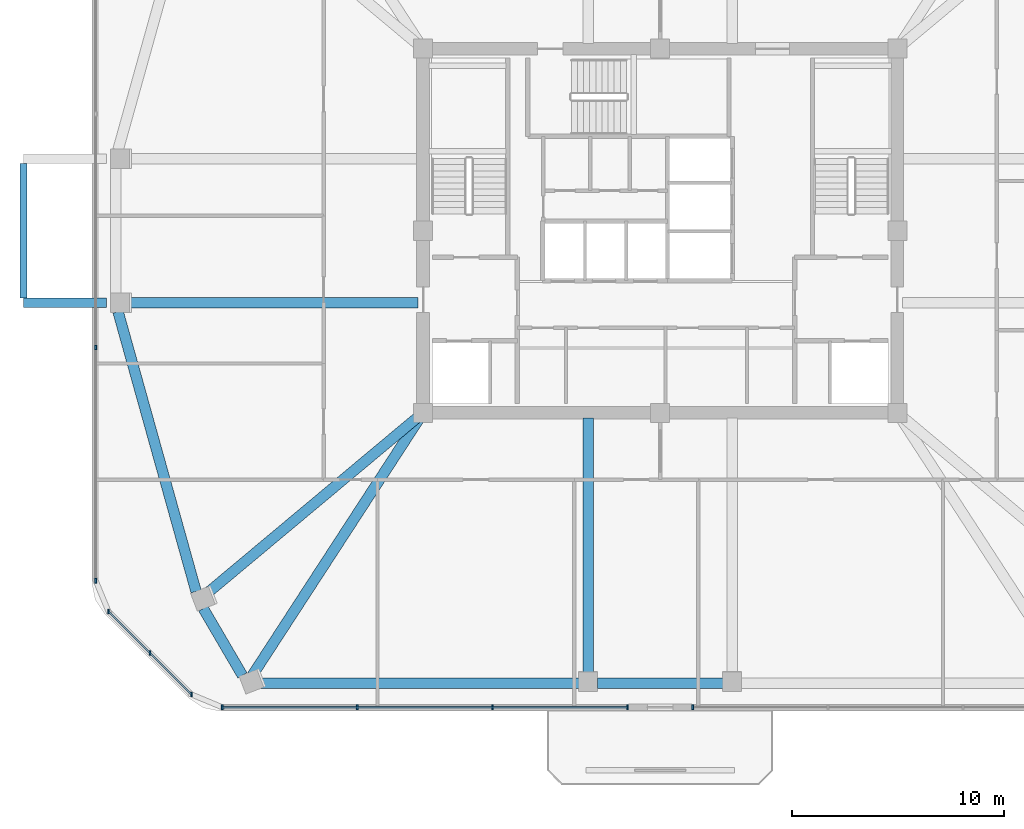
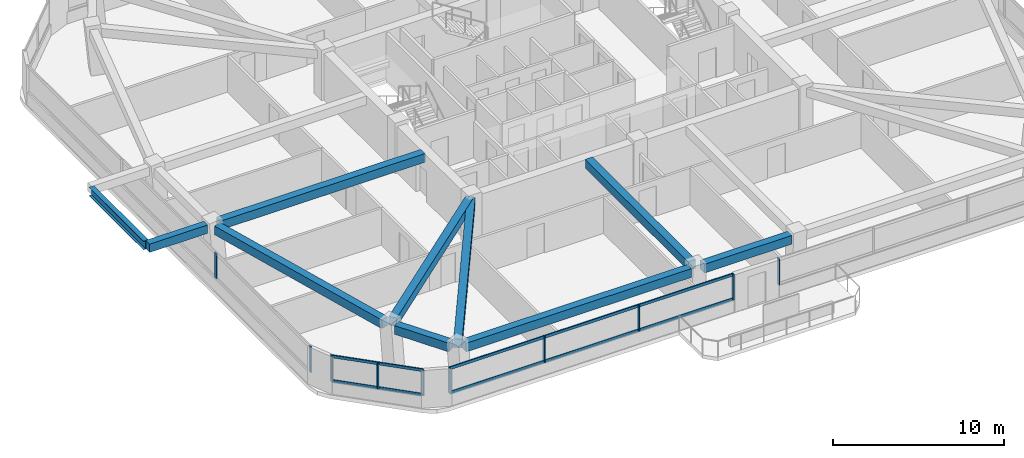
# One storey, part 2 of 13: 14 members, 10 beams, 4 elements without a shape of their own.
"""IFC4 building model written with IfcOpenShell, lengths in metres."""

from ifc_helpers import new_model, si_unit, derived_unit, direction, frame, origin, origin_2d, place, context, subcontext, project, spatial, rectangle, i_section, extrude, material, material_profile, profile_set, type_object, element, aggregate, save


model = new_model("IFC4")

# Units and contexts
model_context = context("Model", 3, precision=1e-05, world=origin(), true_north=direction((0.0, 1.0)))
body_context = subcontext(model_context, "Body", "Model", "MODEL_VIEW")
ifc_project = project(units=[si_unit("LENGTHUNIT", "METRE"), si_unit("AREAUNIT", "SQUARE_METRE"), si_unit("VOLUMEUNIT", "CUBIC_METRE"), si_unit("PLANEANGLEUNIT", "RADIAN"), si_unit("MASSUNIT", "GRAM", prefix="KILO"), derived_unit("THERMALTRANSMITTANCEUNIT", [(si_unit("POWERUNIT", "WATT"), 1), (si_unit("LENGTHUNIT", "METRE"), -2), (si_unit("THERMODYNAMICTEMPERATUREUNIT", "KELVIN"), -1)])], contexts=[model_context])

# Site, building, storey
site_placement = place(None, origin())
site = spatial("IfcSite", under=ifc_project, at=site_placement, CompositionType="ELEMENT")
building_placement = place(site_placement, origin())
building = spatial("IfcBuilding", under=site, at=building_placement, Name="Koralith Skygarden Medical Center", CompositionType="ELEMENT")
storey_placement = place(building_placement, frame((0.0, 0.0, 217.97998046875)))
storey = spatial("IfcBuildingStorey", under=building, at=storey_placement, Name="L56", CompositionType="ELEMENT", Elevation=217.97998046875)

# Curtain wall, members
ifc_material_1 = material(Name="Clear Laminated Glass", Category="glass")
curtain_wall_type = type_object("IfcCurtainWallType", Name="CW-5 Zone 4 Flare Biophilic Curtain Wall", PredefinedType="NOTDEFINED", material=ifc_material_1)
curtain_wall_1_placement = place(storey_placement, origin())
curtain_wall_1 = element("IfcCurtainWall", 1, at=curtain_wall_1_placement, inside=storey, type_object=curtain_wall_type, Name="Curtain Wall CW-L56-S-L", PredefinedType="NOTDEFINED")
ifc_material_2 = material(Name="Aluminium 6063-T6", Category="aluminium")
ifc_material_profile_1 = material_profile(ifc_material_2, rectangle(XDim=0.080078125, YDim=0.219970703125, at=origin_2d()), Name="MUL80X220")
ifc_profile_set_1 = profile_set([ifc_material_profile_1], Name="Aluminium 6063-T6")
member_type_1 = type_object("IfcMemberType", Name="CW-5 Extruded Mullion 80x220", PredefinedType="MULLION", material=ifc_profile_set_1)
member_1_placement = place(storey_placement, frame((16.31591796875, 3.39501953125, 0.85009765625), z_axis=(0.0, 0.0, 1.0), x_axis=(1.0, 0.0, 0.0)))
member_1 = element("IfcMember", 2, at=member_1_placement, type_object=member_type_1, Name="CW-L56-S-L Mullion 1", PredefinedType="MULLION", context=body_context, shape_type="SweptSolid", body=[
    extrude(rectangle(XDim=0.080078125, YDim=0.219970703125, at=origin_2d()), origin(), (0.0, 0.0, 1.0), 1.83984375),
])
member_2_placement = place(storey_placement, frame((22.697021484375, 3.39501953125, 0.85009765625), z_axis=(0.0, 0.0, 1.0), x_axis=(1.0, 0.0, 0.0)))
member_2 = element("IfcMember", 3, at=member_2_placement, type_object=member_type_1, Name="CW-L56-S-L Mullion 2", PredefinedType="MULLION", context=body_context, shape_type="SweptSolid", body=[
    extrude(rectangle(XDim=0.080078125, YDim=0.219970703125, at=origin_2d()), origin(), (0.0, 0.0, 1.0), 1.83984375),
])
member_3_placement = place(storey_placement, frame((29.0791015625, 3.39501953125, 0.85009765625), z_axis=(0.0, 0.0, 1.0), x_axis=(1.0, 0.0, 0.0)))
member_3 = element("IfcMember", 4, at=member_3_placement, type_object=member_type_1, Name="CW-L56-S-L Mullion 3", PredefinedType="MULLION", context=body_context, shape_type="SweptSolid", body=[
    extrude(rectangle(XDim=0.080078125, YDim=0.219970703125, at=origin_2d()), origin(), (0.0, 0.0, 1.0), 1.83984375),
])
member_4_placement = place(storey_placement, frame((35.4599609375, 3.39501953125, 0.85009765625), z_axis=(0.0, 0.0, 1.0), x_axis=(1.0, 0.0, 0.0)))
member_4 = element("IfcMember", 5, at=member_4_placement, type_object=member_type_1, Name="CW-L56-S-L Mullion 4", PredefinedType="MULLION", context=body_context, shape_type="SweptSolid", body=[
    extrude(rectangle(XDim=0.080078125, YDim=0.219970703125, at=origin_2d()), origin(), (0.0, 0.0, 1.0), 1.83984375),
])

# Curtain wall, member
curtain_wall_2_placement = place(storey_placement, origin())
curtain_wall_2 = element("IfcCurtainWall", 6, at=curtain_wall_2_placement, inside=storey, type_object=curtain_wall_type, Name="Curtain Wall CW-L56-S-R", PredefinedType="NOTDEFINED")
member_5_placement = place(storey_placement, frame((38.5400390625, 3.39501953125, 0.85009765625), z_axis=(0.0, 0.0, 1.0), x_axis=(1.0, 0.0, 0.0)))
member_5 = element("IfcMember", 7, at=member_5_placement, type_object=member_type_1, Name="CW-L56-S-R Mullion 1", PredefinedType="MULLION", context=body_context, shape_type="SweptSolid", body=[
    extrude(rectangle(XDim=0.080078125, YDim=0.219970703125, at=origin_2d()), origin(), (0.0, 0.0, 1.0), 1.83984375),
])
aggregate(curtain_wall_2, [member_5])

# Curtain wall, members
curtain_wall_3_placement = place(storey_placement, origin())
curtain_wall_3 = element("IfcCurtainWall", 8, at=curtain_wall_3_placement, inside=storey, type_object=curtain_wall_type, Name="Curtain Wall CW-L56-W", PredefinedType="NOTDEFINED")
member_6_placement = place(storey_placement, frame((10.340087890625, 20.389892578125, 0.85009765625), z_axis=(0.0, 0.0, 1.0), x_axis=(1.0, 0.0, 0.0)))
member_6 = element("IfcMember", 9, at=member_6_placement, type_object=member_type_1, Name="CW-L56-W Mullion 3", PredefinedType="MULLION", context=body_context, shape_type="SweptSolid", body=[
    extrude(rectangle(XDim=0.080078125, YDim=0.219970703125, at=origin_2d()), origin(), (0.0, 0.0, 1.0), 1.83984375),
])
member_7_placement = place(storey_placement, frame((10.340087890625, 9.37109375, 0.85009765625), z_axis=(0.0, 0.0, 1.0), x_axis=(1.0, 0.0, 0.0)))
member_7 = element("IfcMember", 10, at=member_7_placement, type_object=member_type_1, Name="CW-L56-W Mullion 4", PredefinedType="MULLION", context=body_context, shape_type="SweptSolid", body=[
    extrude(rectangle(XDim=0.080078125, YDim=0.219970703125, at=origin_2d()), origin(), (0.0, 0.0, 1.0), 1.83984375),
])
aggregate(curtain_wall_3, [member_6, member_7])

curtain_wall_4_placement = place(storey_placement, origin())
curtain_wall_4 = element("IfcCurtainWall", 11, at=curtain_wall_4_placement, inside=storey, type_object=curtain_wall_type, Name="Curtain Wall CW-L56-SW", PredefinedType="NOTDEFINED")
member_8_placement = place(storey_placement, frame((10.94189453125, 7.919921875, 0.85009765625), z_axis=(0.0, 0.0, 1.0), x_axis=(1.0, 0.0, 0.0)))
member_8 = element("IfcMember", 12, at=member_8_placement, type_object=member_type_1, Name="CW-L56-SW Mullion 1", PredefinedType="MULLION", context=body_context, shape_type="SweptSolid", body=[
    extrude(rectangle(XDim=0.080078125, YDim=0.219970703125, at=origin_2d()), origin(), (0.0, 0.0, 1.0), 1.83984375),
])
member_9_placement = place(storey_placement, frame((12.904052734375, 5.9580078125, 0.85009765625), z_axis=(0.0, 0.0, 1.0), x_axis=(1.0, 0.0, 0.0)))
member_9 = element("IfcMember", 13, at=member_9_placement, type_object=member_type_1, Name="CW-L56-SW Mullion 2", PredefinedType="MULLION", context=body_context, shape_type="SweptSolid", body=[
    extrude(rectangle(XDim=0.080078125, YDim=0.219970703125, at=origin_2d()), origin(), (0.0, 0.0, 1.0), 1.83984375),
])
member_10_placement = place(storey_placement, frame((14.864990234375, 3.9970703125, 0.85009765625), z_axis=(0.0, 0.0, 1.0), x_axis=(1.0, 0.0, 0.0)))
member_10 = element("IfcMember", 14, at=member_10_placement, type_object=member_type_1, Name="CW-L56-SW Mullion 3", PredefinedType="MULLION", context=body_context, shape_type="SweptSolid", body=[
    extrude(rectangle(XDim=0.080078125, YDim=0.219970703125, at=origin_2d()), origin(), (0.0, 0.0, 1.0), 1.83984375),
])

# Member
ifc_material_profile_2 = material_profile(ifc_material_2, rectangle(XDim=0.074951171875, YDim=0.197998046875, at=origin_2d()), Name="TRN75X198")
ifc_profile_set_2 = profile_set([ifc_material_profile_2], Name="Aluminium 6063-T6")
member_type_2 = type_object("IfcMemberType", Name="CW-5 Thermal Transom 75x198", PredefinedType="USERDEFINED", material=ifc_profile_set_2)
member_11_placement = place(storey_placement, frame((16.31591796875, 3.39501953125, 0.89990234375), z_axis=(1.0, 0.0, 0.0), x_axis=(0.0, 1.0, 0.0)))
member_11 = element("IfcMember", 15, at=member_11_placement, type_object=member_type_2, Name="CW-L56-S-L Transom 1", ObjectType="TRANSOM", PredefinedType="USERDEFINED", context=body_context, shape_type="SweptSolid", body=[
    extrude(rectangle(XDim=0.074951171875, YDim=0.197998046875, at=origin_2d()), origin(), (0.0, 0.0, 1.0), 19.14404296875),
])

member_12_placement = place(storey_placement, frame((16.31591796875, 3.39501953125, 2.64013671875), z_axis=(1.0, 0.0, 0.0), x_axis=(0.0, 1.0, 0.0)))
member_12 = element("IfcMember", 16, at=member_12_placement, type_object=member_type_2, Name="CW-L56-S-L Transom 2", ObjectType="TRANSOM", PredefinedType="USERDEFINED", context=body_context, shape_type="SweptSolid", body=[
    extrude(rectangle(XDim=0.074951171875, YDim=0.197998046875, at=origin_2d()), origin(), (0.0, 0.0, 1.0), 19.14404296875),
])

aggregate(curtain_wall_1, [member_1, member_2, member_3, member_4, member_11, member_12])

member_13_placement = place(storey_placement, frame((10.94189453125, 7.919921875, 0.89990234375), z_axis=(0.707128783731, -0.707084777957, 0.0), x_axis=(0.707084777957, 0.707128783731, 0.0)))
member_13 = element("IfcMember", 17, at=member_13_placement, type_object=member_type_2, Name="CW-L56-SW Transom 1", ObjectType="TRANSOM", PredefinedType="USERDEFINED", context=body_context, shape_type="SweptSolid", body=[
    extrude(rectangle(XDim=0.074951171875, YDim=0.197998046875, at=origin_2d()), origin(), (0.0, 0.0, 1.0), 5.5478515625),
])

member_14_placement = place(storey_placement, frame((10.94189453125, 7.919921875, 2.64013671875), z_axis=(0.707128783731, -0.707084777957, 0.0), x_axis=(0.707084777957, 0.707128783731, 0.0)))
member_14 = element("IfcMember", 18, at=member_14_placement, type_object=member_type_2, Name="CW-L56-SW Transom 2", ObjectType="TRANSOM", PredefinedType="USERDEFINED", context=body_context, shape_type="SweptSolid", body=[
    extrude(rectangle(XDim=0.074951171875, YDim=0.197998046875, at=origin_2d()), origin(), (0.0, 0.0, 1.0), 5.5478515625),
])

aggregate(curtain_wall_4, [member_8, member_9, member_10, member_13, member_14])

# Beams
ifc_material_3 = material(Name="Steel ASTM A992 Grade 50", Category="steel")
ifc_material_profile_3 = material_profile(ifc_material_3, i_section(OverallWidth=0.326904296875, OverallDepth=0.6220703125, WebThickness=0.015380859375, FlangeThickness=0.0244140625, at=origin_2d()), Name="W24X131")
ifc_profile_set_3 = profile_set([ifc_material_profile_3], Name="Steel ASTM A992 Grade 50")
beam_type_1 = type_object("IfcBeamType", Name="Cantilever Tie Beam W24X131", PredefinedType="BEAM", material=ifc_profile_set_3)
beam_1_placement = place(storey_placement, frame((6.927978515625, 22.719970703125, 3.029052734375), z_axis=(0.0, 1.0, 0.0), x_axis=(-1.0, 0.0, 0.0)))
element("IfcBeam", 19, at=beam_1_placement, inside=storey, type_object=beam_type_1, Name="L57 W Balcony Tip Tie Beam", PredefinedType="BEAM", context=body_context, shape_type="SweptSolid", body=[
    extrude(i_section(OverallWidth=0.326904296875, OverallDepth=0.6220703125, WebThickness=0.015380859375, FlangeThickness=0.0244140625, at=origin_2d()), origin(), (0.0, 0.0, 1.0), 6.360107421875),
])
ifc_material_4 = material(Name="Concrete C45/55", Category="concrete")
ifc_material_profile_4 = material_profile(ifc_material_4, rectangle(XDim=0.449951171875, YDim=0.60009765625, at=origin_2d()), Name="RCB450X600")
ifc_profile_set_4 = profile_set([ifc_material_profile_4], Name="Concrete C45/55")
beam_type_2 = type_object("IfcBeamType", Name="Planted Balcony Cantilever Beam RCB450X600", PredefinedType="BEAM", material=ifc_profile_set_4)
beam_2_placement = place(storey_placement, frame((10.847900390625, 22.5, 3.0400390625), z_axis=(-1.0, 0.0, 0.0), x_axis=(0.0, -1.0, 0.0)))
element("IfcBeam", 20, at=beam_2_placement, inside=storey, type_object=beam_type_2, Name="L57 W Balcony Cantilever Beam A", PredefinedType="BEAM", context=body_context, shape_type="SweptSolid", body=[
    extrude(rectangle(XDim=0.449951171875, YDim=0.60009765625, at=origin_2d()), origin(), (0.0, 0.0, 1.0), 3.919921875),
])
ifc_material_profile_5 = material_profile(ifc_material_4, rectangle(XDim=0.5, YDim=0.6201171875, at=origin_2d()), Name="RCB500X620")
ifc_profile_set_5 = profile_set([ifc_material_profile_5], Name="Concrete C45/55")
beam_type_3 = type_object("IfcBeamType", Name="Upper Radial Collector Beam RCB500X620", PredefinedType="BEAM", material=ifc_profile_set_5)
beam_3_placement = place(storey_placement, frame((25.550048828125, 22.5, 3.010009765625), z_axis=(-1.0, 0.0, 0.0), x_axis=(0.0, -1.0, 0.0)))
element("IfcBeam", 21, at=beam_3_placement, inside=storey, type_object=beam_type_3, Name="L56 Radial Collector Beam RB-01", PredefinedType="BEAM", context=body_context, shape_type="SweptSolid", body=[
    extrude(rectangle(XDim=0.5, YDim=0.6201171875, at=origin_2d()), origin(), (0.0, 0.0, 1.0), 13.83203125),
])
beam_4_placement = place(storey_placement, frame((25.60791015625, 17.139892578125, 3.010009765625), z_axis=(-0.767298159165, -0.64129052304, 0.0), x_axis=(0.64129052304, -0.767298159165, 0.0)))
element("IfcBeam", 22, at=beam_4_placement, inside=storey, type_object=beam_type_3, Name="L56 Radial Collector Beam RB-02", PredefinedType="BEAM", context=body_context, shape_type="SweptSolid", body=[
    extrude(rectangle(XDim=0.5, YDim=0.6201171875, at=origin_2d()), origin(), (0.0, 0.0, 1.0), 13.126708984375),
])
beam_5_placement = place(storey_placement, frame((25.6640625, 17.090087890625, 3.010009765625), z_axis=(-0.5451487187, -0.838339355214, 0.0), x_axis=(0.838339355214, -0.5451487187, 0.0)))
element("IfcBeam", 23, at=beam_5_placement, inside=storey, type_object=beam_type_3, Name="L56 Radial Collector Beam RB-03", PredefinedType="BEAM", context=body_context, shape_type="SweptSolid", body=[
    extrude(rectangle(XDim=0.5, YDim=0.6201171875, at=origin_2d()), origin(), (0.0, 0.0, 1.0), 14.553955078125),
])
beam_6_placement = place(storey_placement, frame((33.60009765625, 17.050048828125, 3.010009765625), z_axis=(0.0, -1.0, 0.0), x_axis=(1.0, 0.0, 0.0)))
element("IfcBeam", 24, at=beam_6_placement, inside=storey, type_object=beam_type_3, Name="L56 Radial Collector Beam RB-04", PredefinedType="BEAM", context=body_context, shape_type="SweptSolid", body=[
    extrude(rectangle(XDim=0.5, YDim=0.6201171875, at=origin_2d()), origin(), (0.0, 0.0, 1.0), 12.090087890625),
])
ifc_material_profile_6 = material_profile(ifc_material_4, rectangle(XDim=0.5, YDim=0.6201171875, at=origin_2d()), Name="RCB500X620")
ifc_profile_set_6 = profile_set([ifc_material_profile_6], Name="Concrete C45/55")
beam_type_4 = type_object("IfcBeamType", Name="Zone 4-5 Spandrel Beam RCB500X620", PredefinedType="SPANDREL", material=ifc_profile_set_6)
beam_7_placement = place(storey_placement, frame((11.39599609375, 22.075927734375, 3.010009765625), z_axis=(0.26859849356, -0.96325222515, 0.0), x_axis=(0.96325222515, 0.26859849356, 0.0)))
element("IfcBeam", 25, at=beam_7_placement, inside=storey, type_object=beam_type_4, Name="L56 Perimeter Spandrel Beam SP-01", PredefinedType="SPANDREL", context=body_context, shape_type="SweptSolid", body=[
    extrude(rectangle(XDim=0.5, YDim=0.6201171875, at=origin_2d()), origin(), (0.0, 0.0, 1.0), 13.716064453125),
])
beam_8_placement = place(storey_placement, frame((15.419921875, 8.06005859375, 3.010009765625), z_axis=(0.504832687441, -0.863217213505, 0.0), x_axis=(0.863217213505, 0.504832687441, 0.0)))
element("IfcBeam", 26, at=beam_8_placement, inside=storey, type_object=beam_type_4, Name="L56 Perimeter Spandrel Beam SP-02", PredefinedType="SPANDREL", context=body_context, shape_type="SweptSolid", body=[
    extrude(rectangle(XDim=0.5, YDim=0.6201171875, at=origin_2d()), origin(), (0.0, 0.0, 1.0), 3.660888671875),
])
beam_9_placement = place(storey_placement, frame((17.929931640625, 4.52001953125, 3.010009765625), z_axis=(1.0, 0.0, 0.0), x_axis=(0.0, 1.0, 0.0)))
element("IfcBeam", 27, at=beam_9_placement, inside=storey, type_object=beam_type_4, Name="L56 Perimeter Spandrel Beam SP-03", PredefinedType="SPANDREL", context=body_context, shape_type="SweptSolid", body=[
    extrude(rectangle(XDim=0.5, YDim=0.6201171875, at=origin_2d()), origin(), (0.0, 0.0, 1.0), 15.22998046875),
])
beam_10_placement = place(storey_placement, frame((34.0400390625, 4.52001953125, 3.010009765625), z_axis=(1.0, 0.0, 0.0), x_axis=(0.0, 1.0, 0.0)))
element("IfcBeam", 28, at=beam_10_placement, inside=storey, type_object=beam_type_4, Name="L56 Perimeter Spandrel Beam SP-04", PredefinedType="SPANDREL", context=body_context, shape_type="SweptSolid", body=[
    extrude(rectangle(XDim=0.5, YDim=0.6201171875, at=origin_2d()), origin(), (0.0, 0.0, 1.0), 5.919921875),
])

save(model, "model.ifc")
